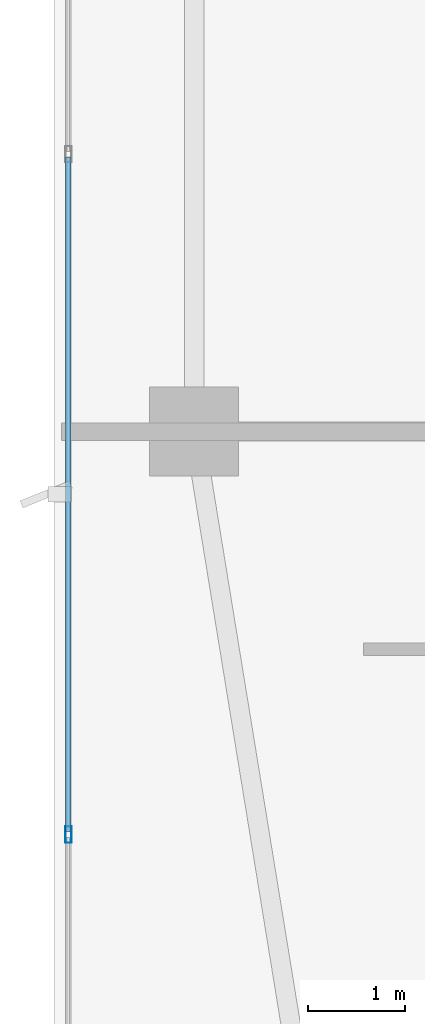
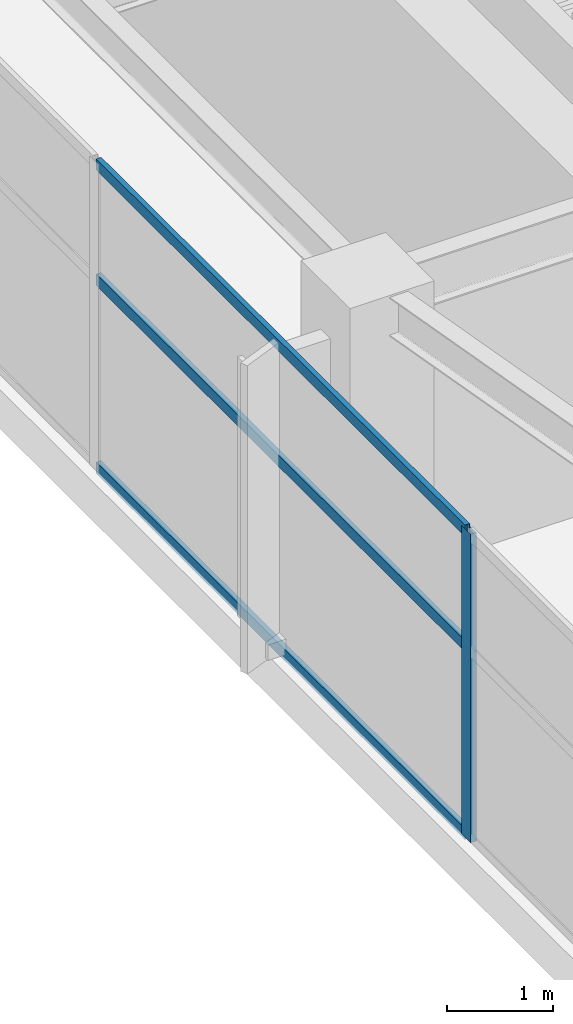
# One storey, part 5 of 27: 4 members, 1 element without a shape of its own.
"""IFC4 building model written with IfcOpenShell, lengths in metres."""

from ifc_helpers import new_model, si_unit, direction, frame, origin, origin_2d, place, context, subcontext, project, spatial, hollow_rectangle, extrude, material, layer, layer_set, material_profile, profile_set, type_object, element, aggregate, save


model = new_model("IFC4")

# Units and contexts
model_context = context("Model", 3, precision=1e-05, world=origin(), true_north=direction((0.0, 1.0)))
body_context = subcontext(model_context, "Body", "Model", "MODEL_VIEW")
ifc_project = project(units=[si_unit("LENGTHUNIT", "METRE"), si_unit("AREAUNIT", "SQUARE_METRE"), si_unit("VOLUMEUNIT", "CUBIC_METRE"), si_unit("PLANEANGLEUNIT", "RADIAN"), si_unit("MASSUNIT", "GRAM", prefix="KILO")], contexts=[model_context])

# Site, building, storey
site_placement = place(None, origin())
site = spatial("IfcSite", under=ifc_project, at=site_placement, CompositionType="ELEMENT")
building_placement = place(site_placement, origin())
building = spatial("IfcBuilding", under=site, at=building_placement, Name="Calvorn Quay Hotel", CompositionType="ELEMENT")
storey_placement = place(building_placement, frame((0.0, 0.0, 287.300048828125)))
storey = spatial("IfcBuildingStorey", under=building, at=storey_placement, Name="L71", CompositionType="ELEMENT", Elevation=287.300048828125)

# Curtain wall, members
ifc_material_1 = material(Name="Champagne Bronze Anodised Aluminium and Low-E Glass", Category="aluminium")
ifc_layer = layer(ifc_material_1, 0.219970703125)
ifc_layer_set = layer_set([ifc_layer], Name="CW-SYS-Z4")
curtain_wall_type = type_object("IfcCurtainWallType", Name="CW-SYS-Z4", PredefinedType="NOTDEFINED", material=ifc_layer_set)
curtain_wall_placement = place(storey_placement, origin())
curtain_wall = element("IfcCurtainWall", 1, at=curtain_wall_placement, inside=storey, type_object=curtain_wall_type, Name="Tower West Curtain Wall (L71)", PredefinedType="NOTDEFINED")
ifc_material_2 = material(Name="Champagne Bronze Anodised Aluminium 6063-T6", Category="aluminium")
ifc_material_profile_1 = material_profile(ifc_material_2, hollow_rectangle(XDim=0.06494140625, YDim=0.169921875, WallThickness=0.00341796875, at=origin_2d()), Name="ALU-M170x65x3.5")
ifc_profile_set_1 = profile_set([ifc_material_profile_1], Name="Champagne Bronze Anodised Aluminium 6063-T6")
member_type_1 = type_object("IfcMemberType", Name="CW-SYS-Z4-MUL", PredefinedType="MULLION", material=ifc_profile_set_1)
member_1_placement = place(storey_placement, frame((0.14990234375, 12.63330078125, 0.0), z_axis=(0.0, 0.0, 1.0), x_axis=(-1.0, 0.0, 0.0)))
member_1 = element("IfcMember", 2, at=member_1_placement, type_object=member_type_1, Name="CW-L71-W mullion 2", PredefinedType="MULLION", context=body_context, shape_type="SweptSolid", body=[
    extrude(hollow_rectangle(XDim=0.06494140625, YDim=0.169921875, WallThickness=0.00341796875, at=origin_2d()), origin(), (0.0, 0.0, 1.0), 3.56005859375),
])
ifc_material_3 = material(Name="Champagne Bronze Anodised Aluminium 6063-T6", Category="aluminium")
ifc_material_profile_2 = material_profile(ifc_material_3, hollow_rectangle(XDim=0.054931640625, YDim=0.1298828125, WallThickness=0.003173828125, at=origin_2d()), Name="ALU-T130x55x3.2")
ifc_profile_set_2 = profile_set([ifc_material_profile_2], Name="Champagne Bronze Anodised Aluminium 6063-T6")
member_type_2 = type_object("IfcMemberType", Name="CW-SYS-Z4-TRN", PredefinedType="USERDEFINED", material=ifc_profile_set_2)
member_2_placement = place(storey_placement, frame((0.14990234375, 12.663330078125, 0.030029296875), z_axis=(0.0, 1.0, 0.0), x_axis=(-1.0, 0.0, 0.0)))
member_2 = element("IfcMember", 3, at=member_2_placement, type_object=member_type_2, Name="CW-L71-W transom 2.1", ObjectType="TRANSOM", PredefinedType="USERDEFINED", context=body_context, shape_type="SweptSolid", body=[
    extrude(hollow_rectangle(XDim=0.054931640625, YDim=0.1298828125, WallThickness=0.003173828125, at=origin_2d()), origin(), (0.0, 0.0, 1.0), 6.973388671875),
])
member_3_placement = place(storey_placement, frame((0.14990234375, 12.663330078125, 2.199951171875), z_axis=(0.0, 1.0, 0.0), x_axis=(-1.0, 0.0, 0.0)))
member_3 = element("IfcMember", 4, at=member_3_placement, type_object=member_type_2, Name="CW-L71-W transom 2.2", ObjectType="TRANSOM", PredefinedType="USERDEFINED", context=body_context, shape_type="SweptSolid", body=[
    extrude(hollow_rectangle(XDim=0.054931640625, YDim=0.1298828125, WallThickness=0.003173828125, at=origin_2d()), origin(), (0.0, 0.0, 1.0), 6.973388671875),
])
member_4_placement = place(storey_placement, frame((0.14990234375, 12.663330078125, 3.530029296875), z_axis=(0.0, 1.0, 0.0), x_axis=(-1.0, 0.0, 0.0)))
member_4 = element("IfcMember", 5, at=member_4_placement, type_object=member_type_2, Name="CW-L71-W transom 2.3", ObjectType="TRANSOM", PredefinedType="USERDEFINED", context=body_context, shape_type="SweptSolid", body=[
    extrude(hollow_rectangle(XDim=0.054931640625, YDim=0.1298828125, WallThickness=0.003173828125, at=origin_2d()), origin(), (0.0, 0.0, 1.0), 6.973388671875),
])
aggregate(curtain_wall, [member_1, member_2, member_3, member_4])

save(model, "model.ifc")
